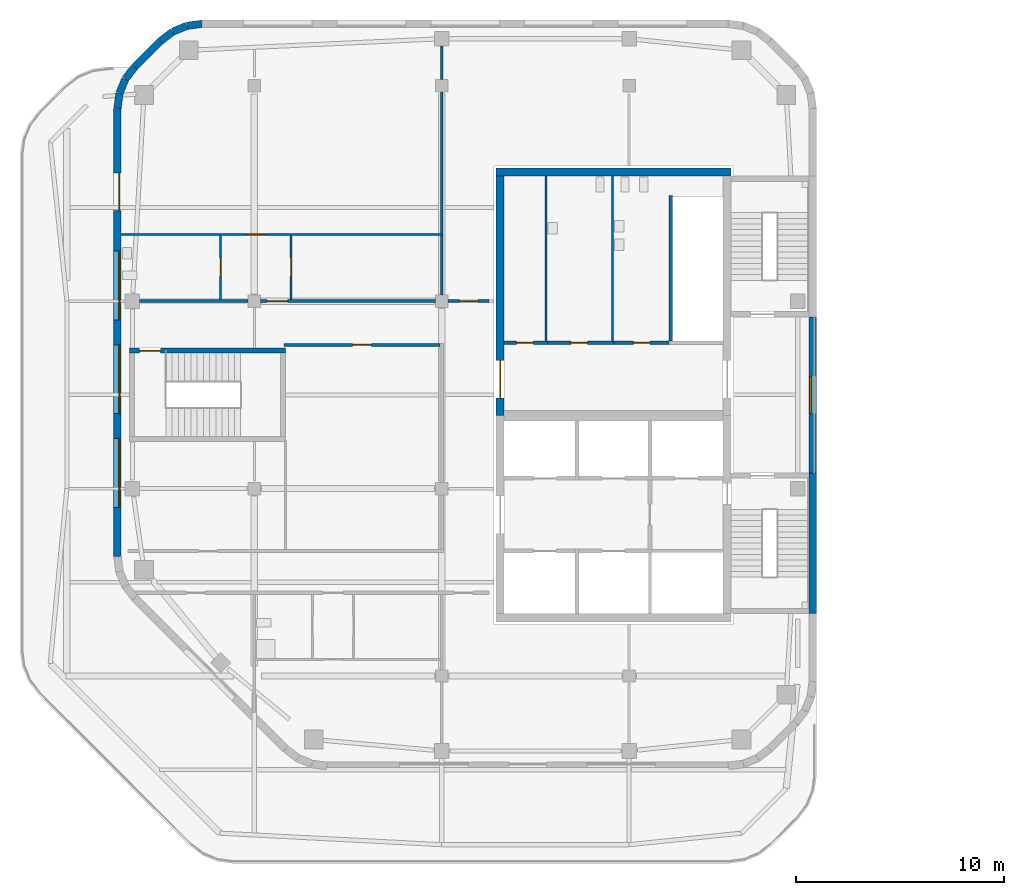
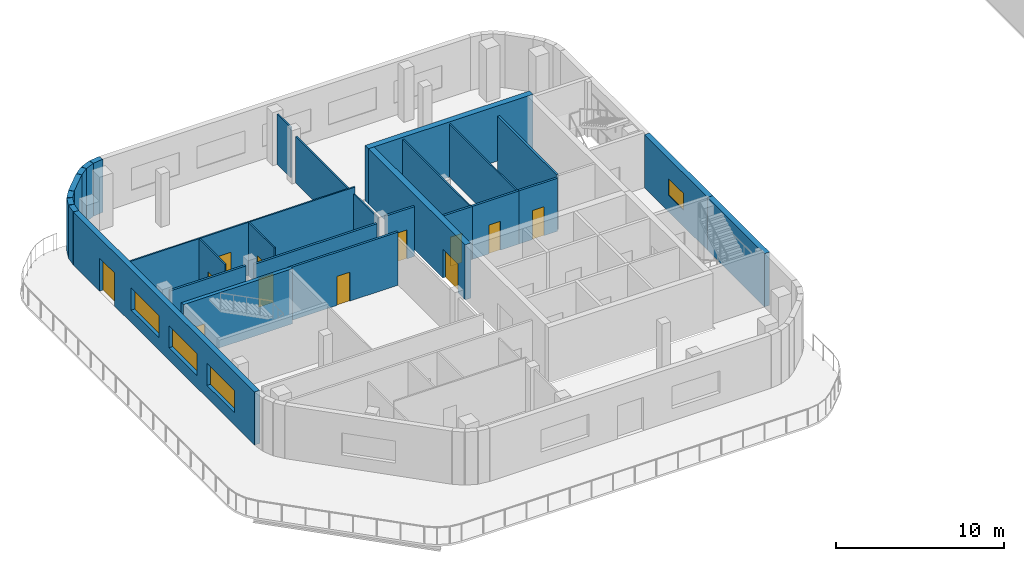
# One storey, part 6 of 15: 29 walls, 12 doors, 4 windows, 16 openings.
"""IFC4 building model written with IfcOpenShell, lengths in metres."""

from ifc_helpers import new_model, si_unit, direction, frame, frame_2d, origin, place, context, subcontext, project, spatial, rectangle, extrude, material, layer, layer_set, type_object, element, fill, save


model = new_model("IFC4")

# Units and contexts
model_context = context("Model", 3, precision=1e-05, world=origin(), true_north=direction((0.0, 1.0)))
body_context = subcontext(model_context, "Body", "Model", "MODEL_VIEW")
ifc_project = project(units=[si_unit("LENGTHUNIT", "METRE"), si_unit("AREAUNIT", "SQUARE_METRE"), si_unit("VOLUMEUNIT", "CUBIC_METRE"), si_unit("PLANEANGLEUNIT", "RADIAN"), si_unit("MASSUNIT", "GRAM", prefix="KILO")], contexts=[model_context])

# Site, building, storey
site_placement = place(None, origin())
site = spatial("IfcSite", under=ifc_project, at=site_placement, CompositionType="ELEMENT")
building_placement = place(site_placement, origin())
building = spatial("IfcBuilding", under=site, at=building_placement, Name="Cinnabar Reach Civic Tower", CompositionType="ELEMENT")
storey_placement = place(building_placement, frame((0.0, 0.0, 100.0)))
storey = spatial("IfcBuildingStorey", under=building, at=storey_placement, Name="L23", CompositionType="ELEMENT", Elevation=100.0)

# Walls
ifc_material_1 = material(Name="Facing brick with insulated backing", Category="masonry")
ifc_layer_1 = layer(ifc_material_1, 0.36)
ifc_layer_set_1 = layer_set([ifc_layer_1], Name="Brick corner wall")
wall_type_1 = type_object("IfcWallType", Name="Brick corner wall", PredefinedType="STANDARD", material=ifc_layer_set_1)
for number, where, z_axis, x_axis, name in (
    (1, (-56.5186, 49.317, 0.0), (0.0, 0.0, 1.0), (-0.99144092581, -0.13055608231, 0.0), "Brick corner wall"),
    (2, (-57.2473, 49.2181, 0.0), (0.0, 0.0, 1.0), (-0.923871547278, -0.382702709855, 0.0), "Brick corner wall"),
):
    element("IfcWall", number, at=place(storey_placement, frame(where, z_axis=z_axis, x_axis=x_axis)), inside=storey, type_object=wall_type_1, Name=name, PredefinedType="STANDARD", context=body_context, shape_type="SweptSolid", body=[
        extrude(rectangle(XDim=0.7131, YDim=0.36, at=frame_2d((0.3565, 0.0))), origin(), (0.0, 0.0, 1.0), 3.85),
    ])
for number, where, z_axis, x_axis, name in (
    (3, (-57.9255, 48.934, 0.0), (0.0, 0.0, 1.0), (-0.793321924995, -0.608802368033, 0.0), "Brick corner wall"),
    (4, (-59.7498, 47.2413, 0.0), (0.0, 0.0, 1.0), (-0.608802368033, -0.793321924995, 0.0), "Brick corner wall"),
):
    element("IfcWall", number, at=place(storey_placement, frame(where, z_axis=z_axis, x_axis=x_axis)), inside=storey, type_object=wall_type_1, Name=name, PredefinedType="STANDARD", context=body_context, shape_type="SweptSolid", body=[
        extrude(rectangle(XDim=0.7132, YDim=0.36, at=frame_2d((0.3566, 0.0))), origin(), (0.0, 0.0, 1.0), 3.85),
    ])
for number, where, z_axis, x_axis, name in (
    (5, (-60.1952, 46.6561, 0.0), (0.0, 0.0, 1.0), (-0.382702709855, -0.923871547278, 0.0), "Brick corner wall"),
    (6, (-60.4739, 45.9756, 0.0), (0.0, 0.0, 1.0), (-0.13055608231, -0.99144092581, 0.0), "Brick corner wall"),
):
    element("IfcWall", number, at=place(storey_placement, frame(where, z_axis=z_axis, x_axis=x_axis)), inside=storey, type_object=wall_type_1, Name=name, PredefinedType="STANDARD", context=body_context, shape_type="SweptSolid", body=[
        extrude(rectangle(XDim=0.7131, YDim=0.36, at=frame_2d((0.3565, 0.0))), origin(), (0.0, 0.0, 1.0), 3.85),
    ])
ifc_layer_2 = layer(ifc_material_1, 0.36)
ifc_layer_set_2 = layer_set([ifc_layer_2], Name="Brick pier and spandrel wall")
wall_type_2 = type_object("IfcWallType", Name="Brick pier and spandrel wall", PredefinedType="STANDARD", material=ifc_layer_set_2)
wall_1_placement = place(storey_placement, frame((-27.18, 21.0, 0.0), z_axis=(0.0, 0.0, 1.0), x_axis=(0.0, 1.0, 0.0)))
element("IfcWall", 7, at=wall_1_placement, inside=storey, type_object=wall_type_2, Name="Brick facade wall", PredefinedType="STANDARD", context=body_context, shape_type="SweptSolid", body=[
    extrude(rectangle(XDim=6.75, YDim=0.36, at=frame_2d((3.375, 0.0))), origin(), (0.0, 0.0, 1.0), 3.85),
])

# Wall, opening, window
wall_2_placement = place(storey_placement, frame((-27.18, 27.75, 0.0), z_axis=(0.0, 0.0, 1.0), x_axis=(0.0, 1.0, 0.0)))
wall_2 = element("IfcWall", 8, at=wall_2_placement, inside=storey, type_object=wall_type_2, Name="Brick facade wall", PredefinedType="STANDARD", context=body_context, shape_type="SweptSolid", body=[
    extrude(rectangle(XDim=7.5, YDim=0.36, at=frame_2d((3.75, 0.0))), origin(), (0.0, 0.0, 1.0), 3.85),
])
opening_1_placement = place(wall_2_placement, frame((2.85, 0.0, 1.2)))
opening_1 = element("IfcOpeningElement", 9, at=opening_1_placement, cuts=wall_2, Name="Opening W2671", PredefinedType="OPENING", context=body_context, shape_type="SweptSolid", body=[
    extrude(rectangle(XDim=1.8, YDim=1.2, at=frame_2d((0.9, 0.6))), frame((0.0, 0.19, 0.0), z_axis=(0.0, -1.0, 0.0), x_axis=(1.0, 0.0, 0.0)), (0.0, 0.0, 1.0), 0.38),
])
ifc_material_2 = material(Name="Clear double glazing in aluminium frame", Category="aluminium")
window_type_1 = type_object("IfcWindowType", Name="Deep-set window C", PartitioningType="SINGLE_PANEL", PredefinedType="WINDOW", material=ifc_material_2)
window_1_placement = place(opening_1_placement, origin())
window_1 = element("IfcWindow", 10, at=window_1_placement, inside=storey, type_object=window_type_1, Name="Window east face", OverallHeight=1.2, OverallWidth=1.8, PartitioningType="SINGLE_PANEL", PredefinedType="WINDOW", context=body_context, shape_type="SweptSolid", body=[
    extrude(rectangle(XDim=1.8, YDim=1.2, at=frame_2d((0.9, 0.6))), frame((0.0, 0.13, 0.0), z_axis=(0.0, -1.0, 0.0), x_axis=(1.0, 0.0, 0.0)), (0.0, 0.0, 1.0), 0.06),
])
fill(opening_1, window_1)

# Wall
wall_3_placement = place(storey_placement, frame((-58.5014, 48.494, 0.0), z_axis=(0.0, 0.0, 1.0), x_axis=(-0.707106781187, -0.707106781187, 0.0)))
element("IfcWall", 11, at=wall_3_placement, inside=storey, type_object=wall_type_2, Name="Brick facade wall", PredefinedType="STANDARD", context=body_context, shape_type="SweptSolid", body=[
    extrude(rectangle(XDim=1.7573, YDim=0.36, at=frame_2d((0.8787, 0.0))), origin(), (0.0, 0.0, 1.0), 3.85),
])

# Wall, openings, windows, door
wall_4_placement = place(storey_placement, frame((-60.57, 45.2574, 0.0), z_axis=(0.0, 0.0, 1.0), x_axis=(0.0, -1.0, 0.0)))
wall_4 = element("IfcWall", 12, at=wall_4_placement, inside=storey, type_object=wall_type_2, Name="Brick facade wall", PredefinedType="STANDARD", context=body_context, shape_type="SweptSolid", body=[
    extrude(rectangle(XDim=21.5148, YDim=0.36, at=frame_2d((10.7574, 0.0))), origin(), (0.0, 0.0, 1.0), 3.85),
])
opening_2_placement = place(wall_4_placement, frame((3.1074, 0.0, 0.0)))
opening_2 = element("IfcOpeningElement", 13, at=opening_2_placement, cuts=wall_4, Name="Opening D7519", PredefinedType="OPENING", context=body_context, shape_type="SweptSolid", body=[
    extrude(rectangle(XDim=1.8, YDim=2.4, at=frame_2d((0.9, 1.2))), frame((0.0, 0.19, 0.0), z_axis=(0.0, -1.0, 0.0), x_axis=(1.0, 0.0, 0.0)), (0.0, 0.0, 1.0), 0.38),
])
opening_3_placement = place(wall_4_placement, frame((6.8574, 0.0, 0.9)))
opening_3 = element("IfcOpeningElement", 14, at=opening_3_placement, cuts=wall_4, Name="Opening W2677", PredefinedType="OPENING", context=body_context, shape_type="SweptSolid", body=[
    extrude(rectangle(XDim=3.3, YDim=1.6, at=frame_2d((1.65, 0.8))), frame((0.0, 0.19, 0.0), z_axis=(0.0, -1.0, 0.0), x_axis=(1.0, 0.0, 0.0)), (0.0, 0.0, 1.0), 0.38),
])
opening_4_placement = place(wall_4_placement, frame((11.3574, 0.0, 0.9)))
opening_4 = element("IfcOpeningElement", 15, at=opening_4_placement, cuts=wall_4, Name="Opening W2678", PredefinedType="OPENING", context=body_context, shape_type="SweptSolid", body=[
    extrude(rectangle(XDim=3.3, YDim=1.6, at=frame_2d((1.65, 0.8))), frame((0.0, 0.19, 0.0), z_axis=(0.0, -1.0, 0.0), x_axis=(1.0, 0.0, 0.0)), (0.0, 0.0, 1.0), 0.38),
])
opening_5_placement = place(wall_4_placement, frame((15.8574, 0.0, 0.9)))
opening_5 = element("IfcOpeningElement", 16, at=opening_5_placement, cuts=wall_4, Name="Opening W2679", PredefinedType="OPENING", context=body_context, shape_type="SweptSolid", body=[
    extrude(rectangle(XDim=3.3, YDim=1.6, at=frame_2d((1.65, 0.8))), frame((0.0, 0.19, 0.0), z_axis=(0.0, -1.0, 0.0), x_axis=(1.0, 0.0, 0.0)), (0.0, 0.0, 1.0), 0.38),
])
window_type_2 = type_object("IfcWindowType", Name="Deep-set window A", PartitioningType="SINGLE_PANEL", PredefinedType="WINDOW", material=ifc_material_2)
window_2_placement = place(opening_3_placement, origin())
window_2 = element("IfcWindow", 17, at=window_2_placement, inside=storey, type_object=window_type_2, Name="Window west face", OverallHeight=1.6, OverallWidth=3.3, PartitioningType="SINGLE_PANEL", PredefinedType="WINDOW", context=body_context, shape_type="SweptSolid", body=[
    extrude(rectangle(XDim=3.3, YDim=1.6, at=frame_2d((1.65, 0.8))), frame((0.0, 0.13, 0.0), z_axis=(0.0, -1.0, 0.0), x_axis=(1.0, 0.0, 0.0)), (0.0, 0.0, 1.0), 0.06),
])
fill(opening_3, window_2)
window_3_placement = place(opening_4_placement, origin())
window_3 = element("IfcWindow", 18, at=window_3_placement, inside=storey, type_object=window_type_2, Name="Window west face", OverallHeight=1.6, OverallWidth=3.3, PartitioningType="SINGLE_PANEL", PredefinedType="WINDOW", context=body_context, shape_type="SweptSolid", body=[
    extrude(rectangle(XDim=3.3, YDim=1.6, at=frame_2d((1.65, 0.8))), frame((0.0, 0.13, 0.0), z_axis=(0.0, -1.0, 0.0), x_axis=(1.0, 0.0, 0.0)), (0.0, 0.0, 1.0), 0.06),
])
fill(opening_4, window_3)
window_4_placement = place(opening_5_placement, origin())
window_4 = element("IfcWindow", 19, at=window_4_placement, inside=storey, type_object=window_type_2, Name="Window west face", OverallHeight=1.6, OverallWidth=3.3, PartitioningType="SINGLE_PANEL", PredefinedType="WINDOW", context=body_context, shape_type="SweptSolid", body=[
    extrude(rectangle(XDim=3.3, YDim=1.6, at=frame_2d((1.65, 0.8))), frame((0.0, 0.13, 0.0), z_axis=(0.0, -1.0, 0.0), x_axis=(1.0, 0.0, 0.0)), (0.0, 0.0, 1.0), 0.06),
])
fill(opening_5, window_4)
ifc_material_3 = material(Name="Clear glazing in aluminium frame", Category="aluminium")
door_type_1 = type_object("IfcDoorType", Name="Facade terrace double door", OperationType="SINGLE_SWING_LEFT", PredefinedType="DOOR", material=ifc_material_3)
door_1_placement = place(opening_2_placement, frame((1.8, 0.0, 0.0), z_axis=(0.0, 0.0, 1.0), x_axis=(-1.0, 0.0, 0.0)))
door_1 = element("IfcDoor", 20, at=door_1_placement, inside=storey, type_object=door_type_1, Name="Terrace door", OperationType="DOUBLE_DOOR_SINGLE_SWING", OverallHeight=2.4, OverallWidth=1.8, PredefinedType="DOOR", context=body_context, shape_type="SweptSolid", body=[
    extrude(rectangle(XDim=1.8, YDim=2.4, at=frame_2d((0.9, 1.2))), frame((0.0, -0.07, 0.0), z_axis=(0.0, -1.0, 0.0), x_axis=(1.0, 0.0, 0.0)), (0.0, 0.0, 1.0), 0.05),
])
fill(opening_2, door_1)

# Wall
ifc_material_4 = material(Name="Concrete C60", Category="concrete")
ifc_layer_3 = layer(ifc_material_4, 0.4)
ifc_layer_set_3 = layer_set([ifc_layer_3], Name="Core wall 400 EI 180")
wall_type_3 = type_object("IfcWallType", Name="Core wall 400 EI 180", PredefinedType="SOLIDWALL", material=ifc_layer_set_3)
wall_5_placement = place(storey_placement, frame((-31.1, 42.2, 0.0), z_axis=(0.0, 0.0, 1.0), x_axis=(-1.0, 0.0, 0.0)))
element("IfcWall", 21, at=wall_5_placement, inside=storey, type_object=wall_type_3, Name="Core wall T2 L23 N", PredefinedType="SOLIDWALL", context=body_context, shape_type="SweptSolid", body=[
    extrude(rectangle(XDim=11.3, YDim=0.4, at=frame_2d((5.65, 0.0))), origin(), (0.0, 0.0, 1.0), 4.0),
])

# Wall, opening, door
wall_6_placement = place(storey_placement, frame((-42.2, 42.0, 0.0), z_axis=(0.0, 0.0, 1.0), x_axis=(0.0, -1.0, 0.0)))
wall_6 = element("IfcWall", 22, at=wall_6_placement, inside=storey, type_object=wall_type_3, Name="Core wall T2 L23 W", PredefinedType="SOLIDWALL", context=body_context, shape_type="SweptSolid", body=[
    extrude(rectangle(XDim=11.5, YDim=0.4, at=frame_2d((5.75, 0.0))), origin(), (0.0, 0.0, 1.0), 4.0),
])
opening_6_placement = place(wall_6_placement, frame((8.85, 0.0, 0.0)))
opening_6 = element("IfcOpeningElement", 23, at=opening_6_placement, cuts=wall_6, Name="Opening D6861", PredefinedType="OPENING", context=body_context, shape_type="SweptSolid", body=[
    extrude(rectangle(XDim=1.8, YDim=2.1, at=frame_2d((0.9, 1.05))), frame((0.0, 0.21, 0.0), z_axis=(0.0, -1.0, 0.0), x_axis=(1.0, 0.0, 0.0)), (0.0, 0.0, 1.0), 0.42),
])
ifc_material_5 = material(Name="Steel fire door", Category="steel")
door_type_2 = type_object("IfcDoorType", Name="T2 Double door 1800", OperationType="DOUBLE_DOOR_SINGLE_SWING", PredefinedType="DOOR", material=ifc_material_5)
door_2_placement = place(opening_6_placement, frame((1.8, 0.0, 0.0), z_axis=(0.0, 0.0, 1.0), x_axis=(-1.0, 0.0, 0.0)))
door_2 = element("IfcDoor", 24, at=door_2_placement, inside=storey, type_object=door_type_2, Name="T2 Double door D6861", OperationType="DOUBLE_DOOR_SINGLE_SWING", OverallHeight=2.1, OverallWidth=1.8, PredefinedType="DOOR", context=body_context, shape_type="SweptSolid", body=[
    extrude(rectangle(XDim=1.8, YDim=2.1, at=frame_2d((0.9, 1.05))), frame((0.0, 0.025, 0.0), z_axis=(0.0, -1.0, 0.0), x_axis=(1.0, 0.0, 0.0)), (0.0, 0.0, 1.0), 0.05),
])
fill(opening_6, door_2)

ifc_material_6 = material(Name="Gypsum board on steel studs, double layer", Category="steel")
ifc_layer_4 = layer(ifc_material_6, 0.15)
ifc_layer_set_4 = layer_set([ifc_layer_4], Name="Corridor wall 150 T2")
wall_type_4 = type_object("IfcWallType", Name="Corridor wall 150 T2", PredefinedType="PARTITIONING", material=ifc_layer_set_4)
wall_7_placement = place(storey_placement, frame((-44.7, 36.0, 0.0), z_axis=(0.0, 0.0, 1.0), x_axis=(1.0, 0.0, 0.0)))
wall_7 = element("IfcWall", 25, at=wall_7_placement, inside=storey, type_object=wall_type_4, Name="Corridor wall 1", PredefinedType="PARTITIONING", context=body_context, shape_type="SweptSolid", body=[
    extrude(rectangle(XDim=1.975, YDim=0.15, at=frame_2d((0.9875, 0.0))), origin(), (0.0, 0.0, 1.0), 3.602),
])
opening_7_placement = place(wall_7_placement, frame((0.55, 0.0, 0.0)))
opening_7 = element("IfcOpeningElement", 26, at=opening_7_placement, cuts=wall_7, Name="Opening D6865", PredefinedType="OPENING", context=body_context, shape_type="SweptSolid", body=[
    extrude(rectangle(XDim=0.9, YDim=2.1, at=frame_2d((0.45, 1.05))), frame((0.0, 0.085, 0.0), z_axis=(0.0, -1.0, 0.0), x_axis=(1.0, 0.0, 0.0)), (0.0, 0.0, 1.0), 0.17),
])
ifc_material_7 = material(Name="Timber door leaf in steel frame", Category="steel")
door_type_3 = type_object("IfcDoorType", Name="Single swing door 900 x 2100 T2", OperationType="SINGLE_SWING_LEFT", PredefinedType="DOOR", material=ifc_material_7)
door_3_placement = place(opening_7_placement, origin())
door_3 = element("IfcDoor", 27, at=door_3_placement, inside=storey, type_object=door_type_3, Name="Door D6865", OperationType="SINGLE_SWING_RIGHT", OverallHeight=2.1, OverallWidth=0.9, PredefinedType="DOOR", context=body_context, shape_type="SweptSolid", body=[
    extrude(rectangle(XDim=0.9, YDim=2.1, at=frame_2d((0.45, 1.05))), frame((0.0, 0.025, 0.0), z_axis=(0.0, -1.0, 0.0), x_axis=(1.0, 0.0, 0.0)), (0.0, 0.0, 1.0), 0.05),
])
fill(opening_7, door_3)

wall_8_placement = place(storey_placement, frame((-53.7, 36.0, 0.0), z_axis=(0.0, 0.0, 1.0), x_axis=(1.0, 0.0, 0.0)))
wall_8 = element("IfcWall", 28, at=wall_8_placement, inside=storey, type_object=wall_type_4, Name="Corridor wall 2", PredefinedType="PARTITIONING", context=body_context, shape_type="SweptSolid", body=[
    extrude(rectangle(XDim=8.4, YDim=0.15, at=frame_2d((4.2, 0.0))), origin(), (0.0, 0.0, 1.0), 3.262),
])
opening_8_placement = place(wall_8_placement, frame((0.3, 0.0, 0.0)))
opening_8 = element("IfcOpeningElement", 29, at=opening_8_placement, cuts=wall_8, Name="Opening D6875", PredefinedType="OPENING", context=body_context, shape_type="SweptSolid", body=[
    extrude(rectangle(XDim=1.0, YDim=2.1, at=frame_2d((0.5, 1.05))), frame((0.0, 0.085, 0.0), z_axis=(0.0, -1.0, 0.0), x_axis=(1.0, 0.0, 0.0)), (0.0, 0.0, 1.0), 0.17),
])
door_type_4 = type_object("IfcDoorType", Name="Tenancy entrance door 1000 x 2100 T2", OperationType="SINGLE_SWING_LEFT", PredefinedType="DOOR", material=ifc_material_7)
door_4_placement = place(opening_8_placement, origin())
door_4 = element("IfcDoor", 30, at=door_4_placement, inside=storey, type_object=door_type_4, Name="Door D6875", OperationType="SINGLE_SWING_RIGHT", OverallHeight=2.1, OverallWidth=1.0, PredefinedType="DOOR", context=body_context, shape_type="SweptSolid", body=[
    extrude(rectangle(XDim=1.0, YDim=2.1, at=frame_2d((0.5, 1.05))), frame((0.0, 0.025, 0.0), z_axis=(0.0, -1.0, 0.0), x_axis=(1.0, 0.0, 0.0)), (0.0, 0.0, 1.0), 0.05),
])
fill(opening_8, door_4)

# Wall
wall_9_placement = place(storey_placement, frame((-59.5, 36.0, 0.0), z_axis=(0.0, 0.0, 1.0), x_axis=(1.0, 0.0, 0.0)))
element("IfcWall", 31, at=wall_9_placement, inside=storey, type_object=wall_type_4, Name="Corridor wall 3", PredefinedType="PARTITIONING", context=body_context, shape_type="SweptSolid", body=[
    extrude(rectangle(XDim=5.2, YDim=0.15, at=frame_2d((2.6, 0.0))), origin(), (0.0, 0.0, 1.0), 3.35),
])

# Wall, opening, door
wall_10_placement = place(storey_placement, frame((-52.575, 33.9, 0.0), z_axis=(0.0, 0.0, 1.0), x_axis=(1.0, 0.0, 0.0)))
wall_10 = element("IfcWall", 32, at=wall_10_placement, inside=storey, type_object=wall_type_4, Name="Corridor wall 8", PredefinedType="PARTITIONING", context=body_context, shape_type="SweptSolid", body=[
    extrude(rectangle(XDim=7.5, YDim=0.15, at=frame_2d((3.75, 0.0))), origin(), (0.0, 0.0, 1.0), 3.85),
])
opening_9_placement = place(wall_10_placement, frame((3.3, 0.0, 0.0)))
opening_9 = element("IfcOpeningElement", 33, at=opening_9_placement, cuts=wall_10, Name="Opening D6877", PredefinedType="OPENING", context=body_context, shape_type="SweptSolid", body=[
    extrude(rectangle(XDim=0.9, YDim=2.1, at=frame_2d((0.45, 1.05))), frame((0.0, 0.085, 0.0), z_axis=(0.0, -1.0, 0.0), x_axis=(1.0, 0.0, 0.0)), (0.0, 0.0, 1.0), 0.17),
])
door_5_placement = place(opening_9_placement, frame((0.9, 0.0, 0.0), z_axis=(0.0, 0.0, 1.0), x_axis=(-1.0, 0.0, 0.0)))
door_5 = element("IfcDoor", 34, at=door_5_placement, inside=storey, type_object=door_type_3, Name="Door D6877", OperationType="SINGLE_SWING_LEFT", OverallHeight=2.1, OverallWidth=0.9, PredefinedType="DOOR", context=body_context, shape_type="SweptSolid", body=[
    extrude(rectangle(XDim=0.9, YDim=2.1, at=frame_2d((0.45, 1.05))), frame((0.0, 0.025, 0.0), z_axis=(0.0, -1.0, 0.0), x_axis=(1.0, 0.0, 0.0)), (0.0, 0.0, 1.0), 0.05),
])
fill(opening_9, door_5)

ifc_material_8 = material(Name="Gypsum board on steel studs", Category="steel")
ifc_layer_5 = layer(ifc_material_8, 0.1)
ifc_layer_set_5 = layer_set([ifc_layer_5], Name="Partition wall 100 T2")
wall_type_5 = type_object("IfcWallType", Name="Partition wall 100 T2", PredefinedType="PARTITIONING", material=ifc_layer_set_5)
wall_11_placement = place(storey_placement, frame((-60.39, 39.2, 0.0), z_axis=(0.0, 0.0, 1.0), x_axis=(1.0, 0.0, 0.0)))
wall_11 = element("IfcWall", 35, at=wall_11_placement, inside=storey, type_object=wall_type_5, Name="Partition wall 9", PredefinedType="PARTITIONING", context=body_context, shape_type="SweptSolid", body=[
    extrude(rectangle(XDim=15.44, YDim=0.1, at=frame_2d((7.72, 0.0))), origin(), (0.0, 0.0, 1.0), 3.85),
])
opening_10_placement = place(wall_11_placement, frame((6.0209, 0.0, 0.0)))
opening_10 = element("IfcOpeningElement", 36, at=opening_10_placement, cuts=wall_11, Name="Opening D6874", PredefinedType="OPENING", context=body_context, shape_type="SweptSolid", body=[
    extrude(rectangle(XDim=0.9, YDim=2.1, at=frame_2d((0.45, 1.05))), frame((0.0, 0.06, 0.0), z_axis=(0.0, -1.0, 0.0), x_axis=(1.0, 0.0, 0.0)), (0.0, 0.0, 1.0), 0.12),
])
door_6_placement = place(opening_10_placement, frame((0.9, 0.0, 0.0), z_axis=(0.0, 0.0, 1.0), x_axis=(-1.0, 0.0, 0.0)))
door_6 = element("IfcDoor", 37, at=door_6_placement, inside=storey, type_object=door_type_3, Name="Door D6874", OperationType="SINGLE_SWING_LEFT", OverallHeight=2.1, OverallWidth=0.9, PredefinedType="DOOR", context=body_context, shape_type="SweptSolid", body=[
    extrude(rectangle(XDim=0.9, YDim=2.1, at=frame_2d((0.45, 1.05))), frame((0.0, 0.025, 0.0), z_axis=(0.0, -1.0, 0.0), x_axis=(1.0, 0.0, 0.0)), (0.0, 0.0, 1.0), 0.05),
])
fill(opening_10, door_6)

# Walls
wall_12_placement = place(storey_placement, frame((-45.0, 39.25, 0.0), z_axis=(0.0, 0.0, 1.0), x_axis=(0.0, 1.0, 0.0)))
element("IfcWall", 38, at=wall_12_placement, inside=storey, type_object=wall_type_5, Name="Partition wall 10", PredefinedType="PARTITIONING", context=body_context, shape_type="SweptSolid", body=[
    extrude(rectangle(XDim=6.8, YDim=0.1, at=frame_2d((3.4, 0.0))), origin(), (0.0, 0.0, 1.0), 3.362),
])
wall_13_placement = place(storey_placement, frame((-45.0, 36.3, 0.0), z_axis=(0.0, 0.0, 1.0), x_axis=(0.0, 1.0, 0.0)))
element("IfcWall", 39, at=wall_13_placement, inside=storey, type_object=wall_type_5, Name="Partition wall 11", PredefinedType="PARTITIONING", context=body_context, shape_type="SweptSolid", body=[
    extrude(rectangle(XDim=2.85, YDim=0.1, at=frame_2d((1.425, 0.0))), origin(), (0.0, 0.0, 1.0), 3.362),
])
wall_14_placement = place(storey_placement, frame((-45.0, 46.65, 0.0), z_axis=(0.0, 0.0, 1.0), x_axis=(0.0, 1.0, 0.0)))
element("IfcWall", 40, at=wall_14_placement, inside=storey, type_object=wall_type_5, Name="Partition wall 12", PredefinedType="PARTITIONING", context=body_context, shape_type="SweptSolid", body=[
    extrude(rectangle(XDim=1.6, YDim=0.1, at=frame_2d((0.8, 0.0))), origin(), (0.0, 0.0, 1.0), 3.652),
])

# Wall, opening, door
wall_15_placement = place(storey_placement, frame((-55.6191, 36.075, 0.0), z_axis=(0.0, 0.0, 1.0), x_axis=(0.0, 1.0, 0.0)))
wall_15 = element("IfcWall", 41, at=wall_15_placement, inside=storey, type_object=wall_type_5, Name="Partition wall 20", PredefinedType="PARTITIONING", context=body_context, shape_type="SweptSolid", body=[
    extrude(rectangle(XDim=3.075, YDim=0.1, at=frame_2d((1.5375, 0.0))), origin(), (0.0, 0.0, 1.0), 3.85),
])
opening_11_placement = place(wall_15_placement, frame((1.1, 0.0, 0.0)))
opening_11 = element("IfcOpeningElement", 42, at=opening_11_placement, cuts=wall_15, Name="Opening D6872", PredefinedType="OPENING", context=body_context, shape_type="SweptSolid", body=[
    extrude(rectangle(XDim=0.9, YDim=2.1, at=frame_2d((0.45, 1.05))), frame((0.0, 0.06, 0.0), z_axis=(0.0, -1.0, 0.0), x_axis=(1.0, 0.0, 0.0)), (0.0, 0.0, 1.0), 0.12),
])
door_7_placement = place(opening_11_placement, origin())
door_7 = element("IfcDoor", 43, at=door_7_placement, inside=storey, type_object=door_type_3, Name="Door D6872", OperationType="SINGLE_SWING_LEFT", OverallHeight=2.1, OverallWidth=0.9, PredefinedType="DOOR", context=body_context, shape_type="SweptSolid", body=[
    extrude(rectangle(XDim=0.9, YDim=2.1, at=frame_2d((0.45, 1.05))), frame((0.0, 0.025, 0.0), z_axis=(0.0, -1.0, 0.0), x_axis=(1.0, 0.0, 0.0)), (0.0, 0.0, 1.0), 0.05),
])
fill(opening_11, door_7)

wall_16_placement = place(storey_placement, frame((-52.2333, 36.075, 0.0), z_axis=(0.0, 0.0, 1.0), x_axis=(0.0, 1.0, 0.0)))
wall_16 = element("IfcWall", 44, at=wall_16_placement, inside=storey, type_object=wall_type_5, Name="Partition wall 21", PredefinedType="PARTITIONING", context=body_context, shape_type="SweptSolid", body=[
    extrude(rectangle(XDim=3.075, YDim=0.1, at=frame_2d((1.5375, 0.0))), origin(), (0.0, 0.0, 1.0), 3.85),
])
opening_12_placement = place(wall_16_placement, frame((1.1, 0.0, 0.0)))
opening_12 = element("IfcOpeningElement", 45, at=opening_12_placement, cuts=wall_16, Name="Opening D6873", PredefinedType="OPENING", context=body_context, shape_type="SweptSolid", body=[
    extrude(rectangle(XDim=0.9, YDim=2.1, at=frame_2d((0.45, 1.05))), frame((0.0, 0.06, 0.0), z_axis=(0.0, -1.0, 0.0), x_axis=(1.0, 0.0, 0.0)), (0.0, 0.0, 1.0), 0.12),
])
door_8_placement = place(opening_12_placement, origin())
door_8 = element("IfcDoor", 46, at=door_8_placement, inside=storey, type_object=door_type_3, Name="Door D6873", OperationType="SINGLE_SWING_LEFT", OverallHeight=2.1, OverallWidth=0.9, PredefinedType="DOOR", context=body_context, shape_type="SweptSolid", body=[
    extrude(rectangle(XDim=0.9, YDim=2.1, at=frame_2d((0.45, 1.05))), frame((0.0, 0.025, 0.0), z_axis=(0.0, -1.0, 0.0), x_axis=(1.0, 0.0, 0.0)), (0.0, 0.0, 1.0), 0.05),
])
fill(opening_12, door_8)

ifc_layer_6 = layer(ifc_material_4, 0.25)
ifc_layer_set_6 = layer_set([ifc_layer_6], Name="Stair shaft wall 250 EI 120")
wall_type_6 = type_object("IfcWallType", Name="Stair shaft wall 250 EI 120", PredefinedType="SOLIDWALL", material=ifc_layer_set_6)
wall_17_placement = place(storey_placement, frame((-52.5, 33.625, 0.0), z_axis=(0.0, 0.0, 1.0), x_axis=(-1.0, 0.0, 0.0)))
wall_17 = element("IfcWall", 47, at=wall_17_placement, inside=storey, type_object=wall_type_6, Name="Stair shaft wall T2-S3 L23", PredefinedType="SOLIDWALL", context=body_context, shape_type="SweptSolid", body=[
    extrude(rectangle(XDim=7.5, YDim=0.25, at=frame_2d((3.75, 0.0))), origin(), (0.0, 0.0, 1.0), 4.0),
])
opening_13_placement = place(wall_17_placement, frame((6.0, 0.0, 0.0)))
opening_13 = element("IfcOpeningElement", 48, at=opening_13_placement, cuts=wall_17, Name="Opening D6878", PredefinedType="OPENING", context=body_context, shape_type="SweptSolid", body=[
    extrude(rectangle(XDim=1.0, YDim=2.1, at=frame_2d((0.5, 1.05))), frame((0.0, 0.135, 0.0), z_axis=(0.0, -1.0, 0.0), x_axis=(1.0, 0.0, 0.0)), (0.0, 0.0, 1.0), 0.27),
])
door_type_5 = type_object("IfcDoorType", Name="Stair door 1000 x 2100 T2", OperationType="SINGLE_SWING_LEFT", PredefinedType="DOOR", material=ifc_material_7)
door_9_placement = place(opening_13_placement, origin())
door_9 = element("IfcDoor", 49, at=door_9_placement, inside=storey, type_object=door_type_5, Name="Door D6878", OperationType="SINGLE_SWING_RIGHT", OverallHeight=2.1, OverallWidth=1.0, PredefinedType="DOOR", context=body_context, shape_type="SweptSolid", body=[
    extrude(rectangle(XDim=1.0, YDim=2.1, at=frame_2d((0.5, 1.05))), frame((0.0, 0.025, 0.0), z_axis=(0.0, -1.0, 0.0), x_axis=(1.0, 0.0, 0.0)), (0.0, 0.0, 1.0), 0.05),
])
fill(opening_13, door_9)

ifc_material_9 = material(Name="Masonry block partition", Category="masonry")
ifc_layer_7 = layer(ifc_material_9, 0.15)
ifc_layer_set_7 = layer_set([ifc_layer_7], Name="T2 Corridor wall 150")
wall_type_7 = type_object("IfcWallType", Name="T2 Corridor wall 150", PredefinedType="PARTITIONING", material=ifc_layer_set_7)
wall_18_placement = place(storey_placement, frame((-39.925, 34.0, 0.0), z_axis=(0.0, 0.0, 1.0), x_axis=(-1.0, 0.0, 0.0)))
wall_18 = element("IfcWall", 50, at=wall_18_placement, inside=storey, type_object=wall_type_7, Name="T2 Corridor wall L23 014", PredefinedType="PARTITIONING", context=body_context, shape_type="SweptSolid", body=[
    extrude(rectangle(XDim=2.075, YDim=0.15, at=frame_2d((1.0375, 0.0))), origin(), (0.0, 0.0, 1.0), 3.85),
])
opening_14_placement = place(wall_18_placement, frame((0.675, 0.0, 0.0)))
opening_14 = element("IfcOpeningElement", 51, at=opening_14_placement, cuts=wall_18, Name="Opening D6862", PredefinedType="OPENING", context=body_context, shape_type="SweptSolid", body=[
    extrude(rectangle(XDim=0.8, YDim=2.1, at=frame_2d((0.4, 1.05))), frame((0.0, 0.085, 0.0), z_axis=(0.0, -1.0, 0.0), x_axis=(1.0, 0.0, 0.0)), (0.0, 0.0, 1.0), 0.17),
])
ifc_material_10 = material(Name="Timber door leaf", Category="wood")
door_type_6 = type_object("IfcDoorType", Name="T2 Bathroom door 800", OperationType="SINGLE_SWING_LEFT", PredefinedType="DOOR", material=ifc_material_10)
door_10_placement = place(opening_14_placement, frame((0.8, 0.0, 0.0), z_axis=(0.0, 0.0, 1.0), x_axis=(-1.0, 0.0, 0.0)))
door_10 = element("IfcDoor", 52, at=door_10_placement, inside=storey, type_object=door_type_6, Name="T2 Bathroom door D6862", OperationType="SINGLE_SWING_LEFT", OverallHeight=2.1, OverallWidth=0.8, PredefinedType="DOOR", context=body_context, shape_type="SweptSolid", body=[
    extrude(rectangle(XDim=0.8, YDim=2.1, at=frame_2d((0.4, 1.05))), frame((0.0, 0.025, 0.0), z_axis=(0.0, -1.0, 0.0), x_axis=(1.0, 0.0, 0.0)), (0.0, 0.0, 1.0), 0.05),
])
fill(opening_14, door_10)

wall_19_placement = place(storey_placement, frame((-36.725, 34.0, 0.0), z_axis=(0.0, 0.0, 1.0), x_axis=(-1.0, 0.0, 0.0)))
wall_19 = element("IfcWall", 53, at=wall_19_placement, inside=storey, type_object=wall_type_7, Name="T2 Corridor wall L23 015", PredefinedType="PARTITIONING", context=body_context, shape_type="SweptSolid", body=[
    extrude(rectangle(XDim=3.2, YDim=0.15, at=frame_2d((1.6, 0.0))), origin(), (0.0, 0.0, 1.0), 3.85),
])
opening_15_placement = place(wall_19_placement, frame((1.275, 0.0, 0.0)))
opening_15 = element("IfcOpeningElement", 54, at=opening_15_placement, cuts=wall_19, Name="Opening D6863", PredefinedType="OPENING", context=body_context, shape_type="SweptSolid", body=[
    extrude(rectangle(XDim=0.8, YDim=2.1, at=frame_2d((0.4, 1.05))), frame((0.0, 0.085, 0.0), z_axis=(0.0, -1.0, 0.0), x_axis=(1.0, 0.0, 0.0)), (0.0, 0.0, 1.0), 0.17),
])
door_11_placement = place(opening_15_placement, frame((0.8, 0.0, 0.0), z_axis=(0.0, 0.0, 1.0), x_axis=(-1.0, 0.0, 0.0)))
door_11 = element("IfcDoor", 55, at=door_11_placement, inside=storey, type_object=door_type_6, Name="T2 Bathroom door D6863", OperationType="SINGLE_SWING_RIGHT", OverallHeight=2.1, OverallWidth=0.8, PredefinedType="DOOR", context=body_context, shape_type="SweptSolid", body=[
    extrude(rectangle(XDim=0.8, YDim=2.1, at=frame_2d((0.4, 1.05))), frame((0.0, 0.025, 0.0), z_axis=(0.0, -1.0, 0.0), x_axis=(1.0, 0.0, 0.0)), (0.0, 0.0, 1.0), 0.05),
])
fill(opening_15, door_11)

wall_20_placement = place(storey_placement, frame((-34.075, 34.0, 0.0), z_axis=(0.0, 0.0, 1.0), x_axis=(-1.0, 0.0, 0.0)))
wall_20 = element("IfcWall", 56, at=wall_20_placement, inside=storey, type_object=wall_type_7, Name="T2 Corridor wall L23 016", PredefinedType="PARTITIONING", context=body_context, shape_type="SweptSolid", body=[
    extrude(rectangle(XDim=2.65, YDim=0.15, at=frame_2d((1.325, 0.0))), origin(), (0.0, 0.0, 1.0), 3.85),
])
opening_16_placement = place(wall_20_placement, frame((0.925, 0.0, 0.0)))
opening_16 = element("IfcOpeningElement", 57, at=opening_16_placement, cuts=wall_20, Name="Opening D6864", PredefinedType="OPENING", context=body_context, shape_type="SweptSolid", body=[
    extrude(rectangle(XDim=0.8, YDim=2.1, at=frame_2d((0.4, 1.05))), frame((0.0, 0.085, 0.0), z_axis=(0.0, -1.0, 0.0), x_axis=(1.0, 0.0, 0.0)), (0.0, 0.0, 1.0), 0.17),
])
door_12_placement = place(opening_16_placement, frame((0.8, 0.0, 0.0), z_axis=(0.0, 0.0, 1.0), x_axis=(-1.0, 0.0, 0.0)))
door_12 = element("IfcDoor", 58, at=door_12_placement, inside=storey, type_object=door_type_6, Name="T2 Bathroom door D6864", OperationType="SINGLE_SWING_RIGHT", OverallHeight=2.1, OverallWidth=0.8, PredefinedType="DOOR", context=body_context, shape_type="SweptSolid", body=[
    extrude(rectangle(XDim=0.8, YDim=2.1, at=frame_2d((0.4, 1.05))), frame((0.0, 0.025, 0.0), z_axis=(0.0, -1.0, 0.0), x_axis=(1.0, 0.0, 0.0)), (0.0, 0.0, 1.0), 0.05),
])
fill(opening_16, door_12)

# Walls
ifc_material_11 = material(Name="Gypsum board partition")
ifc_layer_8 = layer(ifc_material_11, 0.1)
ifc_layer_set_8 = layer_set([ifc_layer_8], Name="T2 Internal partition 100")
wall_type_8 = type_object("IfcWallType", Name="T2 Internal partition 100", PredefinedType="PARTITIONING", material=ifc_layer_set_8)
for number, where, z_axis, x_axis, name in (
    (59, (-40.0, 34.075, 0.0), (0.0, 0.0, 1.0), (0.0, 1.0, 0.0), "T2 Internal partition L23 017"),
    (60, (-36.8, 34.075, 0.0), (0.0, 0.0, 1.0), (0.0, 1.0, 0.0), "T2 Internal partition L23 018"),
):
    element("IfcWall", number, at=place(storey_placement, frame(where, z_axis=z_axis, x_axis=x_axis)), inside=storey, type_object=wall_type_8, Name=name, PredefinedType="PARTITIONING", context=body_context, shape_type="SweptSolid", body=[
        extrude(rectangle(XDim=7.925, YDim=0.1, at=frame_2d((3.9625, 0.0))), origin(), (0.0, 0.0, 1.0), 3.85),
    ])
ifc_material_12 = material(Name="Concrete C40", Category="concrete")
ifc_layer_9 = layer(ifc_material_12, 0.15)
ifc_layer_set_9 = layer_set([ifc_layer_9], Name="T2 Riser wall 150")
wall_type_9 = type_object("IfcWallType", Name="T2 Riser wall 150", PredefinedType="SOLIDWALL", material=ifc_layer_set_9)
wall_21_placement = place(storey_placement, frame((-34.0, 41.075, 0.0), z_axis=(0.0, 0.0, 1.0), x_axis=(0.0, -1.0, 0.0)))
element("IfcWall", 61, at=wall_21_placement, inside=storey, type_object=wall_type_9, Name="T2 Riser wall L23 013", PredefinedType="SOLIDWALL", context=body_context, shape_type="SweptSolid", body=[
    extrude(rectangle(XDim=7.0, YDim=0.15, at=frame_2d((3.5, 0.0))), origin(), (0.0, 0.0, 1.0), 4.0),
])

save(model, "model.ifc")
